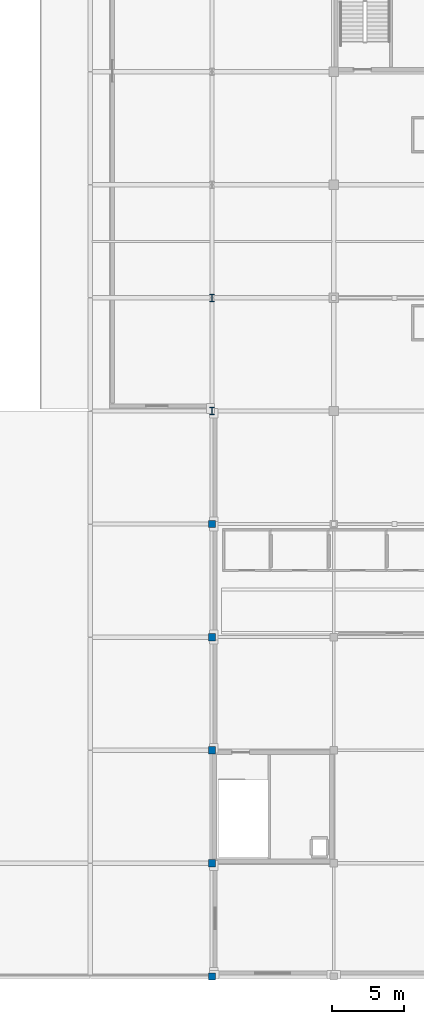
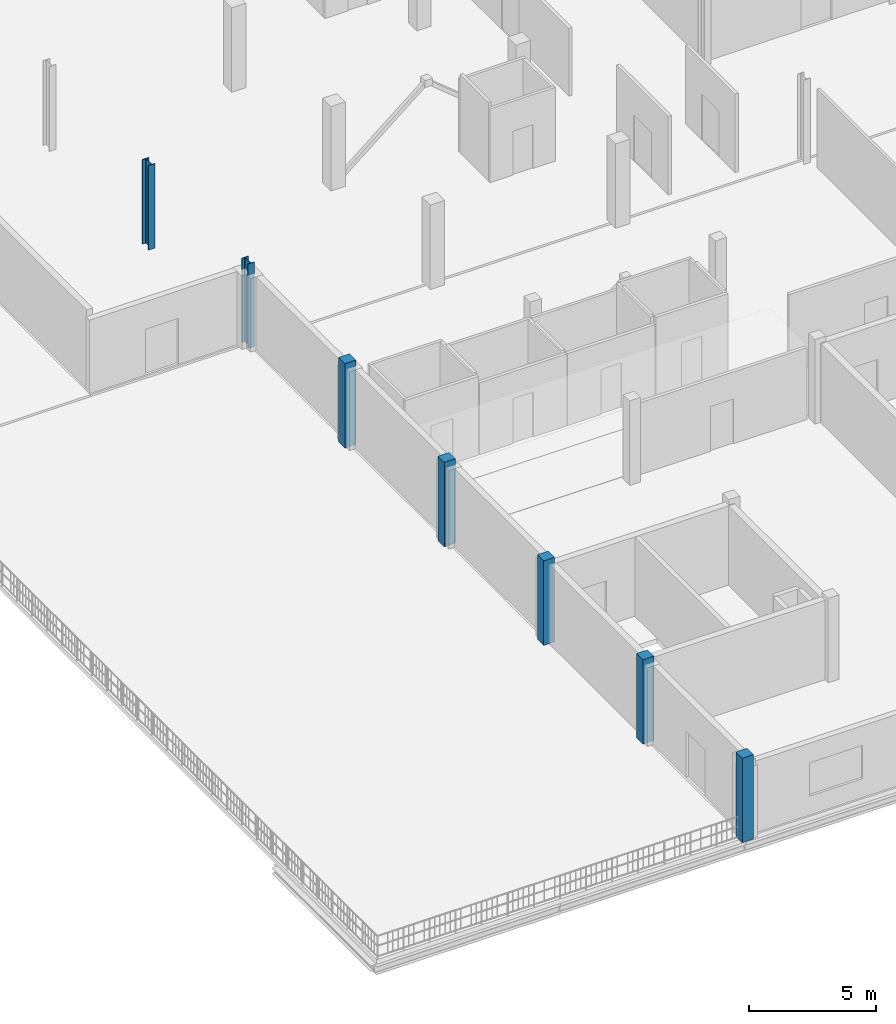
# One storey, part 1 of 41: 7 columns.
"""IFC4 building model written with IfcOpenShell, lengths in metres."""

from ifc_helpers import new_model, si_unit, direction, frame, origin, origin_2d, place, context, subcontext, project, spatial, rectangle, i_section, extrude, material, material_profile, profile_set, type_object, element, save


model = new_model("IFC4")

# Units and contexts
model_context = context("Model", 3, precision=1e-05, world=origin(), true_north=direction((0.0, 1.0)))
body_context = subcontext(model_context, "Body", "Model", "MODEL_VIEW")
ifc_project = project(units=[si_unit("LENGTHUNIT", "METRE"), si_unit("AREAUNIT", "SQUARE_METRE"), si_unit("VOLUMEUNIT", "CUBIC_METRE"), si_unit("PLANEANGLEUNIT", "RADIAN"), si_unit("MASSUNIT", "GRAM", prefix="KILO")], contexts=[model_context])

# Site, building, storey
site_placement = place(None, origin())
site = spatial("IfcSite", under=ifc_project, at=site_placement, CompositionType="ELEMENT")
building_placement = place(site_placement, origin())
building = spatial("IfcBuilding", under=site, at=building_placement, Name="Nabrawat Pavilion Hospital", CompositionType="ELEMENT")
storey_placement = place(building_placement, frame((0.0, 0.0, 18.89990234375)))
storey = spatial("IfcBuildingStorey", under=building, at=storey_placement, Name="L04", CompositionType="ELEMENT", Elevation=18.89990234375)

# Columns
ifc_material_1 = material(Name="Steel S355", Category="steel")
ifc_material_profile_1 = material_profile(ifc_material_1, i_section(OverallWidth=0.300048828125, OverallDepth=0.5, WebThickness=0.014404296875, FlangeThickness=0.028076171875, FilletRadius=0.027099609375, at=origin_2d()), Name="HEB 500")
ifc_profile_set_1 = profile_set([ifc_material_profile_1], Name="Steel S355")
column_type_1 = type_object("IfcColumnType", Name="Composite Steel Column HEB 500", PredefinedType="COLUMN", material=ifc_profile_set_1)
for number, where, z_axis, x_axis, name in (
    (1, (142.800048828125, 39.0, 0.0), (0.0, 0.0, 1.0), (1.0, 0.0, 0.0), "L04 Structural Column G-18-F1"),
    (2, (142.800048828125, 46.800048828125, 0.0), (0.0, 0.0, 1.0), (1.0, 0.0, 0.0), "L04 Structural Column G-18-G"),
):
    element("IfcColumn", number, at=place(storey_placement, frame(where, z_axis=z_axis, x_axis=x_axis)), inside=storey, type_object=column_type_1, Name=name, PredefinedType="COLUMN", context=body_context, shape_type="SweptSolid", body=[
        extrude(i_section(OverallWidth=0.300048828125, OverallDepth=0.5, WebThickness=0.014404296875, FlangeThickness=0.028076171875, FilletRadius=0.027099609375, at=origin_2d()), origin(), (0.0, 0.0, 1.0), 4.050048828125),
    ])
ifc_material_2 = material(Name="Concrete C40/50", Category="concrete")
ifc_material_profile_2 = material_profile(ifc_material_2, rectangle(XDim=0.5, YDim=0.5, at=origin_2d()), Name="RC 500x500")
ifc_profile_set_2 = profile_set([ifc_material_profile_2], Name="Concrete C40/50")
column_type_2 = type_object("IfcColumnType", Name="Pavilion Upper RC Column 500x500", PredefinedType="COLUMN", material=ifc_profile_set_2)
for number, where, z_axis, x_axis, name in (
    (3, (142.800048828125, 0.0, 0.0), (0.0, 0.0, 1.0), (1.0, 0.0, 0.0), "L04 Structural Column G-18-A"),
    (4, (142.800048828125, 7.800048828125, 0.0), (0.0, 0.0, 1.0), (1.0, 0.0, 0.0), "L04 Structural Column G-18-B"),
    (5, (142.800048828125, 15.60009765625, 0.0), (0.0, 0.0, 1.0), (1.0, 0.0, 0.0), "L04 Structural Column G-18-C"),
    (6, (142.800048828125, 23.39990234375, 0.0), (0.0, 0.0, 1.0), (1.0, 0.0, 0.0), "L04 Structural Column G-18-D"),
    (7, (142.800048828125, 31.199951171875, 0.0), (0.0, 0.0, 1.0), (1.0, 0.0, 0.0), "L04 Structural Column G-18-E"),
):
    element("IfcColumn", number, at=place(storey_placement, frame(where, z_axis=z_axis, x_axis=x_axis)), inside=storey, type_object=column_type_2, Name=name, PredefinedType="COLUMN", context=body_context, shape_type="SweptSolid", body=[
        extrude(rectangle(XDim=0.5, YDim=0.5, at=origin_2d()), origin(), (0.0, 0.0, 1.0), 4.050048828125),
    ])

save(model, "model.ifc")
